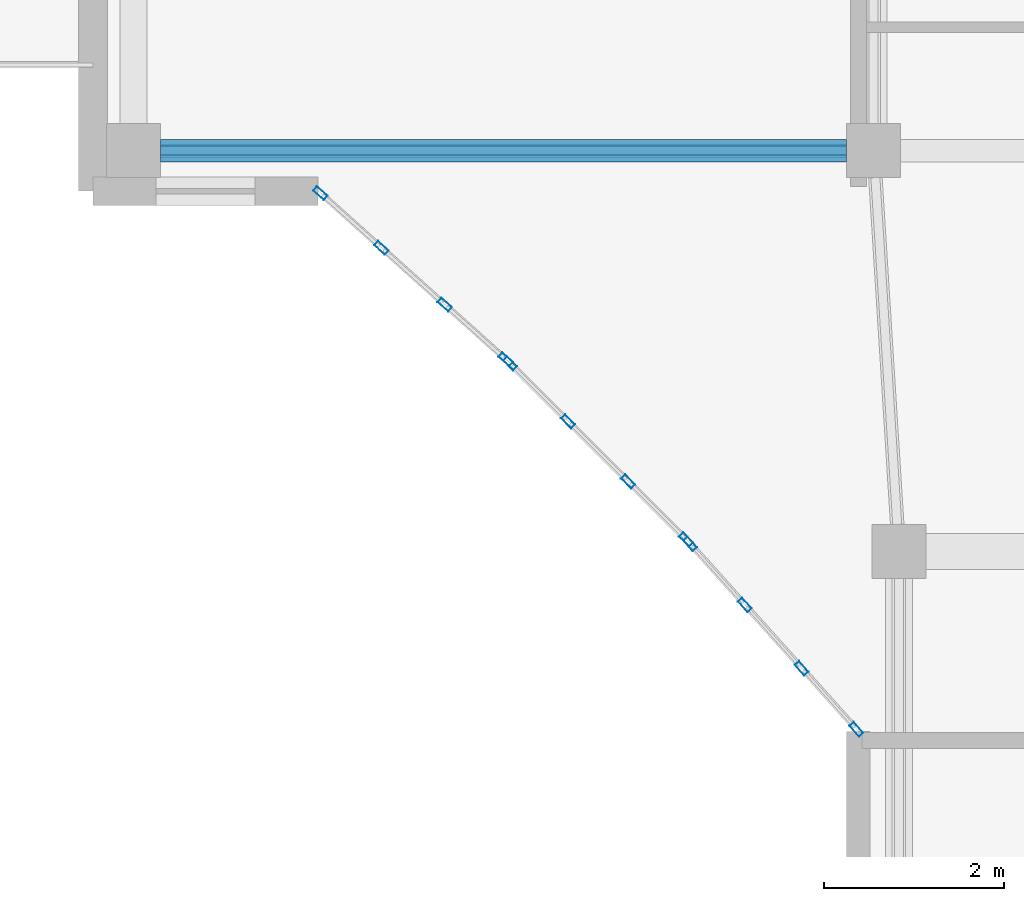
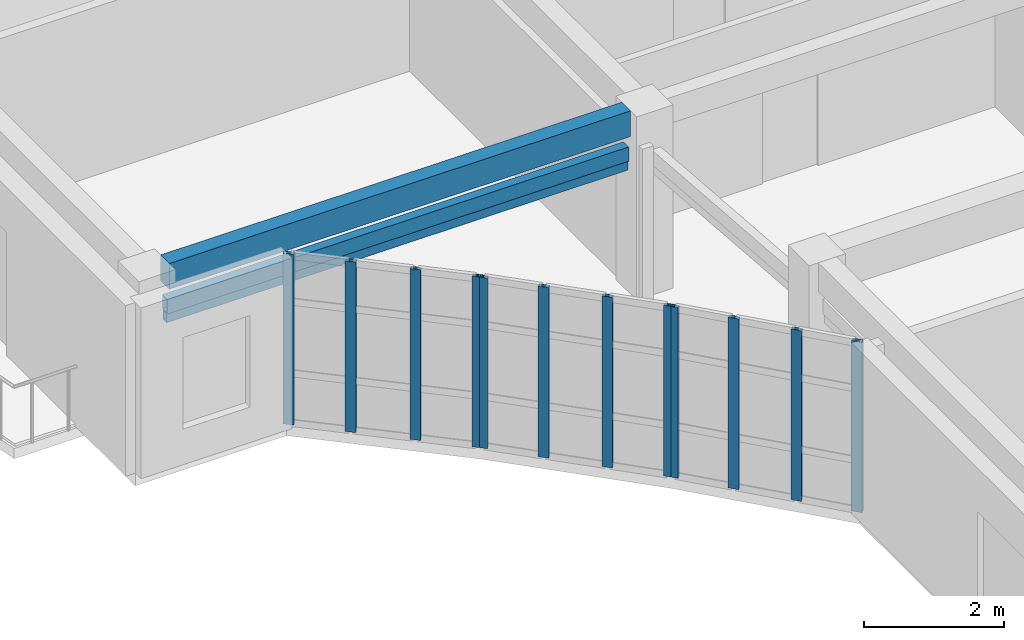
# One storey, part 4 of 72: 14 members, 1 beam, 3 elements without a shape of their own.
"""IFC4 building model written with IfcOpenShell, lengths in metres."""

from ifc_helpers import new_model, si_unit, direction, frame, origin, origin_2d, place, context, subcontext, project, spatial, rectangle, hollow_rectangle, extrude, material, layer, layer_set, material_profile, profile_set, type_object, element, aggregate, save


model = new_model("IFC4")

# Units and contexts
model_context = context("Model", 3, precision=1e-05, world=origin(), true_north=direction((0.0, 1.0)))
body_context = subcontext(model_context, "Body", "Model", "MODEL_VIEW")
ifc_project = project(units=[si_unit("LENGTHUNIT", "METRE"), si_unit("AREAUNIT", "SQUARE_METRE"), si_unit("VOLUMEUNIT", "CUBIC_METRE"), si_unit("PLANEANGLEUNIT", "RADIAN"), si_unit("MASSUNIT", "GRAM", prefix="KILO")], contexts=[model_context])

# Site, building, storey
site_placement = place(None, origin())
site = spatial("IfcSite", under=ifc_project, at=site_placement, CompositionType="ELEMENT")
building_placement = place(site_placement, origin())
building = spatial("IfcBuilding", under=site, at=building_placement, Name="Keldmere Railside Commons", CompositionType="ELEMENT")
storey_placement = place(building_placement, frame((0.0, 0.0, 16.9599609375)))
storey = spatial("IfcBuildingStorey", under=building, at=storey_placement, Name="L05", CompositionType="ELEMENT", Elevation=16.9599609375)

# Member
ifc_material_1 = material(Name="Steel F-36 (S355)", Category="steel")
ifc_material_profile_1 = material_profile(ifc_material_1, hollow_rectangle(XDim=0.14990234375, YDim=0.25, WallThickness=0.010009765625, at=origin_2d()), Name="RHS-250x150x10")
ifc_profile_set_1 = profile_set([ifc_material_profile_1], Name="Steel F-36 (S355)")
member_type_1 = type_object("IfcMemberType", Name="Balcony Continuous Planted Trough RHS250x150", PredefinedType="CHORD", material=ifc_profile_set_1)
member_1_placement = place(storey_placement, frame((40.25, 100.449951171875, 2.4150390625), z_axis=(1.0, 0.0, 0.0), x_axis=(0.0, 1.0, 0.0)))
element("IfcMember", 1, at=member_1_placement, inside=storey, type_object=member_type_1, Name="PLT-1 MEM-BPLT-0597", PredefinedType="CHORD", context=body_context, shape_type="SweptSolid", body=[
    extrude(hollow_rectangle(XDim=0.14990234375, YDim=0.25, WallThickness=0.010009765625, at=origin_2d()), origin(), (0.0, 0.0, 1.0), 7.6201171875),
])

# Beam
ifc_material_2 = material(Name="Architectural Precast Concrete H-35 (C35/45)", Category="concrete")
ifc_material_profile_2 = material_profile(ifc_material_2, rectangle(XDim=0.25, YDim=0.449951171875, at=origin_2d()), Name="RC-250x450")
ifc_profile_set_2 = profile_set([ifc_material_profile_2], Name="Architectural Precast Concrete H-35 (C35/45)")
beam_type = type_object("IfcBeamType", Name="Perimeter Precast Spandrel Beam 250x450", PredefinedType="SPANDREL", material=ifc_profile_set_2)
beam_placement = place(storey_placement, frame((40.25, 100.449951171875, 2.97509765625), z_axis=(1.0, 0.0, 0.0), x_axis=(0.0, 1.0, 0.0)))
element("IfcBeam", 2, at=beam_placement, inside=storey, type_object=beam_type, Name="SPB-1 BM-L05-1729", PredefinedType="SPANDREL", context=body_context, shape_type="SweptSolid", body=[
    extrude(rectangle(XDim=0.25, YDim=0.449951171875, at=origin_2d()), origin(), (0.0, 0.0, 1.0), 7.6201171875),
])

# Member
ifc_material_profile_3 = material_profile(ifc_material_1, hollow_rectangle(XDim=0.10009765625, YDim=0.159912109375, WallThickness=0.008056640625, at=origin_2d()), Name="RHS-160x100x8")
ifc_profile_set_3 = profile_set([ifc_material_profile_3], Name="Steel F-36 (S355)")
member_type_2 = type_object("IfcMemberType", Name="Solar Brise-Soleil Louvre Fin RHS160x100", PredefinedType="STRUT", material=ifc_profile_set_3)
member_2_placement = place(storey_placement, frame((40.25, 100.449951171875, 2.199951171875), z_axis=(1.0, 0.0, 0.0), x_axis=(0.0, 1.0, 0.0)))
element("IfcMember", 3, at=member_2_placement, inside=storey, type_object=member_type_2, Name="BSF-1 MEM-BSF-0598", PredefinedType="STRUT", context=body_context, shape_type="SweptSolid", body=[
    extrude(hollow_rectangle(XDim=0.10009765625, YDim=0.159912109375, WallThickness=0.008056640625, at=origin_2d()), origin(), (0.0, 0.0, 1.0), 7.6201171875),
])

# Curtain wall, members
ifc_material_3 = material(Name="Thermally Broken Aluminium", Category="aluminium")
ifc_layer_1 = layer(ifc_material_3, 0.159912109375, Name="Court Chord Wintergarden CW 4800x2850")
ifc_layer_set_1 = layer_set([ifc_layer_1], Name="Thermally Broken Aluminium")
curtain_wall_type_1 = type_object("IfcCurtainWallType", Name="Court Chord Wintergarden CW 4800x2850", PredefinedType="NOTDEFINED", material=ifc_layer_set_1)
curtain_wall_1_placement = place(storey_placement, origin())
curtain_wall_1 = element("IfcCurtainWall", 4, at=curtain_wall_1_placement, inside=storey, type_object=curtain_wall_type_1, Name="CW-12 CW-L05-058", PredefinedType="NOTDEFINED")
ifc_material_profile_4 = material_profile(ifc_material_3, hollow_rectangle(XDim=0.06494140625, YDim=0.159912109375, WallThickness=0.00390625, at=origin_2d()), Name="ALU-MULL-65x160")
ifc_profile_set_4 = profile_set([ifc_material_profile_4], Name="Thermally Broken Aluminium")
member_type_3 = type_object("IfcMemberType", Name="Unitised Curtain Wall Mullion 65x160", PredefinedType="MULLION", material=ifc_profile_set_4)
member_3_placement = place(storey_placement, frame((44.083740234375, 98.131591796875, 0.0), z_axis=(0.0, 0.0, 1.0), x_axis=(-0.667558519879, -0.744557333277, 0.0)))
member_3 = element("IfcMember", 5, at=member_3_placement, type_object=member_type_3, Name="CW-12 mullion 1", PredefinedType="MULLION", context=body_context, shape_type="SweptSolid", body=[
    extrude(hollow_rectangle(XDim=0.06494140625, YDim=0.159912109375, WallThickness=0.00390625, at=origin_2d()), origin(), (0.0, 0.0, 1.0), 2.97998046875),
])
member_4_placement = place(storey_placement, frame((43.4052734375, 98.739990234375, 0.0), z_axis=(0.0, 0.0, 1.0), x_axis=(-0.667558519879, -0.744557333277, 0.0)))
member_4 = element("IfcMember", 6, at=member_4_placement, type_object=member_type_3, Name="CW-12 mullion 2", PredefinedType="MULLION", context=body_context, shape_type="SweptSolid", body=[
    extrude(hollow_rectangle(XDim=0.06494140625, YDim=0.159912109375, WallThickness=0.00390625, at=origin_2d()), origin(), (0.0, 0.0, 1.0), 2.97998046875),
])
member_5_placement = place(storey_placement, frame((42.70263671875, 99.3701171875, 0.0), z_axis=(0.0, 0.0, 1.0), x_axis=(-0.667558519879, -0.744557333277, 0.0)))
member_5 = element("IfcMember", 7, at=member_5_placement, type_object=member_type_3, Name="CW-12 mullion 3", PredefinedType="MULLION", context=body_context, shape_type="SweptSolid", body=[
    extrude(hollow_rectangle(XDim=0.06494140625, YDim=0.159912109375, WallThickness=0.00390625, at=origin_2d()), origin(), (0.0, 0.0, 1.0), 2.97998046875),
])
member_6_placement = place(storey_placement, frame((42.024169921875, 99.978271484375, 0.0), z_axis=(0.0, 0.0, 1.0), x_axis=(-0.667558519879, -0.744557333277, 0.0)))
member_6 = element("IfcMember", 8, at=member_6_placement, type_object=member_type_3, Name="CW-12 mullion 4", PredefinedType="MULLION", context=body_context, shape_type="SweptSolid", body=[
    extrude(hollow_rectangle(XDim=0.06494140625, YDim=0.159912109375, WallThickness=0.00390625, at=origin_2d()), origin(), (0.0, 0.0, 1.0), 2.97998046875),
])
aggregate(curtain_wall_1, [member_3, member_4, member_5, member_6])

ifc_layer_2 = layer(ifc_material_3, 0.159912109375, Name="Court Chord Wintergarden CW 5400x2850")
ifc_layer_set_2 = layer_set([ifc_layer_2], Name="Thermally Broken Aluminium")
curtain_wall_type_2 = type_object("IfcCurtainWallType", Name="Court Chord Wintergarden CW 5400x2850", PredefinedType="NOTDEFINED", material=ifc_layer_set_2)
curtain_wall_2_placement = place(storey_placement, origin())
curtain_wall_2 = element("IfcCurtainWall", 9, at=curtain_wall_2_placement, inside=storey, type_object=curtain_wall_type_2, Name="CW-13 CW-L05-059", PredefinedType="NOTDEFINED")
member_7_placement = place(storey_placement, frame((46.0869140625, 96.130859375, 0.0), z_axis=(0.0, 0.0, 1.0), x_axis=(-0.707106781187, -0.707106781187, 0.0)))
member_7 = element("IfcMember", 10, at=member_7_placement, type_object=member_type_3, Name="CW-13 mullion 1", PredefinedType="MULLION", context=body_context, shape_type="SweptSolid", body=[
    extrude(hollow_rectangle(XDim=0.06494140625, YDim=0.159912109375, WallThickness=0.00390625, at=origin_2d()), origin(), (0.0, 0.0, 1.0), 2.97998046875),
])
member_8_placement = place(storey_placement, frame((45.442626953125, 96.775390625, 0.0), z_axis=(0.0, 0.0, 1.0), x_axis=(-0.707106781187, -0.707106781187, 0.0)))
member_8 = element("IfcMember", 11, at=member_8_placement, type_object=member_type_3, Name="CW-13 mullion 2", PredefinedType="MULLION", context=body_context, shape_type="SweptSolid", body=[
    extrude(hollow_rectangle(XDim=0.06494140625, YDim=0.159912109375, WallThickness=0.00390625, at=origin_2d()), origin(), (0.0, 0.0, 1.0), 2.97998046875),
])
member_9_placement = place(storey_placement, frame((44.775390625, 97.442626953125, 0.0), z_axis=(0.0, 0.0, 1.0), x_axis=(-0.707106781187, -0.707106781187, 0.0)))
member_9 = element("IfcMember", 12, at=member_9_placement, type_object=member_type_3, Name="CW-13 mullion 3", PredefinedType="MULLION", context=body_context, shape_type="SweptSolid", body=[
    extrude(hollow_rectangle(XDim=0.06494140625, YDim=0.159912109375, WallThickness=0.00390625, at=origin_2d()), origin(), (0.0, 0.0, 1.0), 2.97998046875),
])
member_10_placement = place(storey_placement, frame((44.130859375, 98.0869140625, 0.0), z_axis=(0.0, 0.0, 1.0), x_axis=(-0.707106781187, -0.707106781187, 0.0)))
member_10 = element("IfcMember", 13, at=member_10_placement, type_object=member_type_3, Name="CW-13 mullion 4", PredefinedType="MULLION", context=body_context, shape_type="SweptSolid", body=[
    extrude(hollow_rectangle(XDim=0.06494140625, YDim=0.159912109375, WallThickness=0.00390625, at=origin_2d()), origin(), (0.0, 0.0, 1.0), 2.97998046875),
])
aggregate(curtain_wall_2, [member_7, member_8, member_9, member_10])

curtain_wall_3_placement = place(storey_placement, origin())
curtain_wall_3 = element("IfcCurtainWall", 14, at=curtain_wall_3_placement, inside=storey, type_object=curtain_wall_type_1, Name="CW-12 CW-L05-060", PredefinedType="NOTDEFINED")
member_11_placement = place(storey_placement, frame((47.978271484375, 94.024169921875, 0.0), z_axis=(0.0, 0.0, 1.0), x_axis=(-0.744557333277, -0.667558519879, 0.0)))
member_11 = element("IfcMember", 15, at=member_11_placement, type_object=member_type_3, Name="CW-12 mullion 1", PredefinedType="MULLION", context=body_context, shape_type="SweptSolid", body=[
    extrude(hollow_rectangle(XDim=0.06494140625, YDim=0.159912109375, WallThickness=0.00390625, at=origin_2d()), origin(), (0.0, 0.0, 1.0), 2.97998046875),
])
member_12_placement = place(storey_placement, frame((47.3701171875, 94.70263671875, 0.0), z_axis=(0.0, 0.0, 1.0), x_axis=(-0.744557333277, -0.667558519879, 0.0)))
member_12 = element("IfcMember", 16, at=member_12_placement, type_object=member_type_3, Name="CW-12 mullion 2", PredefinedType="MULLION", context=body_context, shape_type="SweptSolid", body=[
    extrude(hollow_rectangle(XDim=0.06494140625, YDim=0.159912109375, WallThickness=0.00390625, at=origin_2d()), origin(), (0.0, 0.0, 1.0), 2.97998046875),
])
member_13_placement = place(storey_placement, frame((46.739990234375, 95.4052734375, 0.0), z_axis=(0.0, 0.0, 1.0), x_axis=(-0.744557333277, -0.667558519879, 0.0)))
member_13 = element("IfcMember", 17, at=member_13_placement, type_object=member_type_3, Name="CW-12 mullion 3", PredefinedType="MULLION", context=body_context, shape_type="SweptSolid", body=[
    extrude(hollow_rectangle(XDim=0.06494140625, YDim=0.159912109375, WallThickness=0.00390625, at=origin_2d()), origin(), (0.0, 0.0, 1.0), 2.97998046875),
])
member_14_placement = place(storey_placement, frame((46.131591796875, 96.083740234375, 0.0), z_axis=(0.0, 0.0, 1.0), x_axis=(-0.744557333277, -0.667558519879, 0.0)))
member_14 = element("IfcMember", 18, at=member_14_placement, type_object=member_type_3, Name="CW-12 mullion 4", PredefinedType="MULLION", context=body_context, shape_type="SweptSolid", body=[
    extrude(hollow_rectangle(XDim=0.06494140625, YDim=0.159912109375, WallThickness=0.00390625, at=origin_2d()), origin(), (0.0, 0.0, 1.0), 2.97998046875),
])
aggregate(curtain_wall_3, [member_11, member_12, member_13, member_14])

save(model, "model.ifc")
